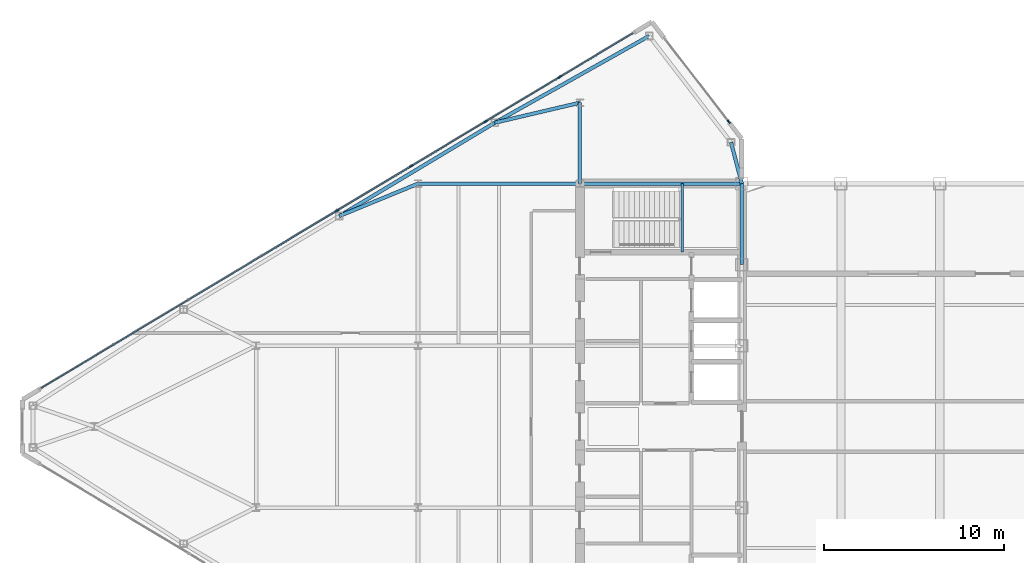
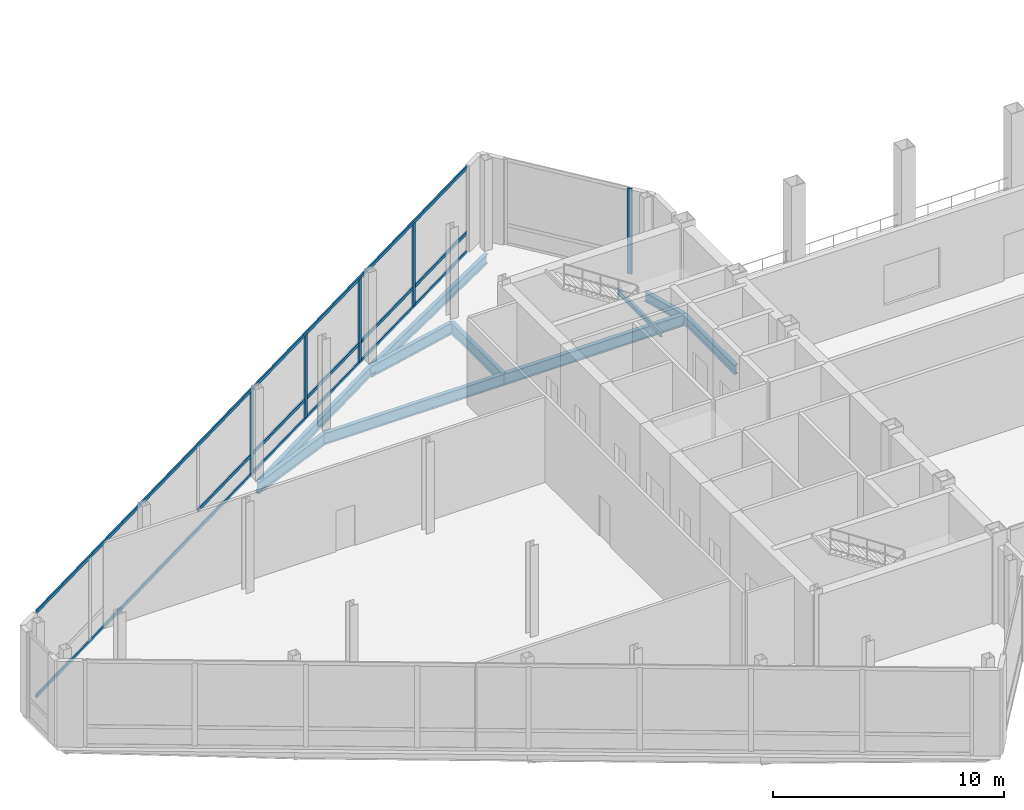
# One storey, part 11 of 28: 12 members, 10 beams, 2 elements without a shape of their own.
"""IFC4 building model written with IfcOpenShell, lengths in metres."""

from ifc_helpers import new_model, si_unit, direction, frame, origin, origin_2d, place, context, subcontext, project, spatial, rectangle, i_section, extrude, source, transform, mapped, material, layer, layer_set, material_profile, profile_set, type_object, type_shapes, element, aggregate, save


model = new_model("IFC4")

# Units and contexts
model_context = context("Model", 3, precision=1e-05, world=origin(), true_north=direction((0.0, 1.0)))
body_context = subcontext(model_context, "Body", "Model", "MODEL_VIEW")
ifc_project = project(units=[si_unit("LENGTHUNIT", "METRE"), si_unit("AREAUNIT", "SQUARE_METRE"), si_unit("VOLUMEUNIT", "CUBIC_METRE"), si_unit("PLANEANGLEUNIT", "RADIAN"), si_unit("MASSUNIT", "GRAM", prefix="KILO")], contexts=[model_context])

# Site, building, storey
site_placement = place(None, origin())
site = spatial("IfcSite", under=ifc_project, at=site_placement, CompositionType="ELEMENT")
building_placement = place(site_placement, origin())
building = spatial("IfcBuilding", under=site, at=building_placement, Name="Seokmaru Belvedere", CompositionType="ELEMENT")
storey_placement = place(building_placement, frame((0.0, 0.0, 274.199951171875)))
storey = spatial("IfcBuildingStorey", under=building, at=storey_placement, Name="L72", CompositionType="ELEMENT", Elevation=274.199951171875)

# Beams
ifc_material_1 = material(Name="Steel SM355 (355 MPa)", Category="steel")
ifc_material_profile_1 = material_profile(ifc_material_1, i_section(OverallWidth=0.199951171875, OverallDepth=0.5, WebThickness=0.010009765625, FlangeThickness=0.01611328125, at=origin_2d()), Name="H-500x200x10x16")
ifc_profile_set_1 = profile_set([ifc_material_profile_1], Name="Steel SM355 (355 MPa)")
beam_type_1 = type_object("IfcBeamType", Name="Perimeter Spandrel Beam H-500", PredefinedType="SPANDREL", material=ifc_profile_set_1)
shared_shape_1 = source(origin(), body_context, "Body", "SweptSolid", [
    extrude(i_section(OverallWidth=0.199951171875, OverallDepth=0.5, WebThickness=0.010009765625, FlangeThickness=0.01611328125, at=origin_2d()), origin(), (0.0, 0.0, 1.0), 4.5),
])
beam_1_placement = place(storey_placement, frame((-27.5, 9.0, -0.510009765625), z_axis=(0.0, 1.0, 0.0), x_axis=(-1.0, 0.0, 0.0)))
element("IfcBeam", 1, at=beam_1_placement, inside=storey, type_object=beam_type_1, Name="L72 W Portal Spine Spandrel 5", PredefinedType="SPANDREL", context=body_context, shape_type="MappedRepresentation", body=[
    mapped(shared_shape_1, transform((0.0, 0.0, 0.0), scale=1.0)),
])
ifc_material_profile_2 = material_profile(ifc_material_1, i_section(OverallWidth=0.199951171875, OverallDepth=0.60009765625, WebThickness=0.010986328125, FlangeThickness=0.01708984375, at=origin_2d()), Name="H-600x200x11x17")
ifc_profile_set_2 = profile_set([ifc_material_profile_2], Name="Steel SM355 (355 MPa)")
beam_type_2 = type_object("IfcBeamType", Name="Primary Floor Girder H-600", PredefinedType="BEAM", material=ifc_profile_set_2)
shared_shape_2 = source(origin(), body_context, "Body", "SweptSolid", [
    extrude(i_section(OverallWidth=0.199951171875, OverallDepth=0.60009765625, WebThickness=0.010986328125, FlangeThickness=0.01708984375, at=origin_2d()), origin(), (0.0, 0.0, 1.0), 9.0),
])
for number, where, z_axis, x_axis, name in (
    (2, (-36.5, 13.5, -0.56005859375), (1.0, 0.0, 0.0), (0.0, 1.0, 0.0), "L72 W Core Tie Girder 4"),
    (3, (-45.5, 13.5, -0.56005859375), (1.0, 0.0, 0.0), (0.0, 1.0, 0.0), "L72 W Wing Primary Girder 4"),
):
    element("IfcBeam", number, at=place(storey_placement, frame(where, z_axis=z_axis, x_axis=x_axis)), inside=storey, type_object=beam_type_2, Name=name, PredefinedType="BEAM", context=body_context, shape_type="MappedRepresentation", body=[
        mapped(shared_shape_2, transform((0.0, 0.0, 0.0), scale=1.0)),
    ])
shared_shape_3 = source(origin(), body_context, "Body", "SweptSolid", [
    extrude(i_section(OverallWidth=0.199951171875, OverallDepth=0.60009765625, WebThickness=0.010986328125, FlangeThickness=0.01708984375, at=origin_2d()), origin(), (0.0, 0.0, 1.0), 4.5),
])
beam_2_placement = place(storey_placement, frame((-36.5, 13.5, -0.56005859375), z_axis=(0.0, 1.0, 0.0), x_axis=(-1.0, 0.0, 0.0)))
element("IfcBeam", 4, at=beam_2_placement, inside=storey, type_object=beam_type_2, Name="L72 W Core Shoulder Girder N", PredefinedType="BEAM", context=body_context, shape_type="MappedRepresentation", body=[
    mapped(shared_shape_3, transform((0.0, 0.0, 0.0), scale=1.0)),
])
shared_shape_4 = source(origin(), body_context, "Body", "SweptSolid", [
    extrude(i_section(OverallWidth=0.199951171875, OverallDepth=0.5, WebThickness=0.010009765625, FlangeThickness=0.01611328125, at=origin_2d()), origin(), (0.0, 0.0, 1.0), 9.842041015625),
])
beam_3_placement = place(storey_placement, frame((-32.649658203125, 21.71044921875, -0.510009765625), z_axis=(-0.871782151818, -0.489893743349, 0.0), x_axis=(0.489893743349, -0.871782151818, 0.0)))
element("IfcBeam", 5, at=beam_3_placement, inside=storey, type_object=beam_type_1, Name="L72 W Faceted Flank Spandrel N-1", PredefinedType="SPANDREL", context=body_context, shape_type="MappedRepresentation", body=[
    mapped(shared_shape_4, transform((0.0, 0.0, 0.0), scale=1.0)),
])
shared_shape_5 = source(origin(), body_context, "Body", "SweptSolid", [
    extrude(i_section(OverallWidth=0.199951171875, OverallDepth=0.5, WebThickness=0.010009765625, FlangeThickness=0.01611328125, at=origin_2d()), origin(), (0.0, 0.0, 1.0), 10.087646484375),
])
beam_4_placement = place(storey_placement, frame((-41.229736328125, 16.888916015625, -0.510009765625), z_axis=(-0.857499332045, -0.514485078056, 0.0), x_axis=(0.514485078056, -0.857499332045, 0.0)))
element("IfcBeam", 6, at=beam_4_placement, inside=storey, type_object=beam_type_1, Name="L72 W Faceted Flank Spandrel N-2", PredefinedType="SPANDREL", context=body_context, shape_type="MappedRepresentation", body=[
    mapped(shared_shape_5, transform((0.0, 0.0, 0.0), scale=1.0)),
])
shared_shape_6 = source(origin(), body_context, "Body", "SweptSolid", [
    extrude(i_section(OverallWidth=0.199951171875, OverallDepth=0.5, WebThickness=0.010009765625, FlangeThickness=0.01611328125, at=origin_2d()), origin(), (0.0, 0.0, 1.0), 2.373046875),
])
type_shapes(beam_type_1, [shared_shape_1, shared_shape_4, shared_shape_5, shared_shape_6])
beam_5_placement = place(storey_placement, frame((-28.10009765625, 15.7958984375, -0.510009765625), z_axis=(0.252882558842, -0.967496982648, 0.0), x_axis=(0.967496982648, 0.252882558842, 0.0)))
element("IfcBeam", 7, at=beam_5_placement, inside=storey, type_object=beam_type_1, Name="L72 W Shoulder Spine Spandrel N", PredefinedType="SPANDREL", context=body_context, shape_type="MappedRepresentation", body=[
    mapped(shared_shape_6, transform((0.0, 0.0, 0.0), scale=1.0)),
])
shared_shape_7 = source(origin(), body_context, "Body", "SweptSolid", [
    extrude(i_section(OverallWidth=0.199951171875, OverallDepth=0.60009765625, WebThickness=0.010986328125, FlangeThickness=0.01708984375, at=origin_2d()), origin(), (0.0, 0.0, 1.0), 4.8583984375),
])
beam_6_placement = place(storey_placement, frame((-41.229736328125, 16.888916015625, -0.56005859375), z_axis=(0.97349948295, 0.228689214211, 0.0), x_axis=(-0.228689214211, 0.97349948295, 0.0)))
element("IfcBeam", 8, at=beam_6_placement, inside=storey, type_object=beam_type_2, Name="L72 W Flank Radial Floor Girder N-1", PredefinedType="BEAM", context=body_context, shape_type="MappedRepresentation", body=[
    mapped(shared_shape_7, transform((0.0, 0.0, 0.0), scale=1.0)),
])
shared_shape_8 = source(origin(), body_context, "Body", "SweptSolid", [
    extrude(i_section(OverallWidth=0.199951171875, OverallDepth=0.60009765625, WebThickness=0.010986328125, FlangeThickness=0.01708984375, at=origin_2d()), origin(), (0.0, 0.0, 1.0), 4.73583984375),
])
type_shapes(beam_type_2, [shared_shape_2, shared_shape_3, shared_shape_7, shared_shape_8])
beam_7_placement = place(storey_placement, frame((-49.8798828125, 11.698974609375, -0.56005859375), z_axis=(0.924860562953, 0.380306375301, 0.0), x_axis=(-0.380306375301, 0.924860562953, 0.0)))
element("IfcBeam", 9, at=beam_7_placement, inside=storey, type_object=beam_type_2, Name="L72 W Flank Radial Floor Girder N-2", PredefinedType="BEAM", context=body_context, shape_type="MappedRepresentation", body=[
    mapped(shared_shape_8, transform((0.0, 0.0, 0.0), scale=1.0)),
])

# Curtain wall, members
ifc_material_2 = material(Name="Bronze Triple Insulating Glass", Category="glass")
ifc_layer = layer(ifc_material_2, 0.219970703125)
ifc_layer_set = layer_set([ifc_layer], Name="Bronze Triple Insulating Glass")
curtain_wall_type = type_object("IfcCurtainWallType", Name="Sky-Gate Bridge Panorama Curtain Wall System CW-6", PredefinedType="NOTDEFINED", material=ifc_layer_set)
curtain_wall_1_placement = place(storey_placement, origin())
curtain_wall_1 = element("IfcCurtainWall", 10, at=curtain_wall_1_placement, inside=storey, type_object=curtain_wall_type, Name="L72 Curtain Wall WF3", PredefinedType="NOTDEFINED")
ifc_material_3 = material(Name="Anodised Bronze Aluminium", Category="aluminium")
ifc_material_profile_3 = material_profile(ifc_material_3, rectangle(XDim=0.074951171875, YDim=0.179931640625, at=origin_2d()), Name="CW-T-75x180")
ifc_profile_set_3 = profile_set([ifc_material_profile_3], Name="Anodised Bronze Aluminium")
member_type_1 = type_object("IfcMemberType", Name="Bronze Unitised Transom 75x180", PredefinedType="USERDEFINED", material=ifc_profile_set_3)
shared_shape_9 = source(origin(), body_context, "Body", "SweptSolid", [
    extrude(rectangle(XDim=0.074951171875, YDim=0.179931640625, at=origin_2d()), origin(), (0.0, 0.0, 1.0), 38.356689453125),
])
member_1_placement = place(storey_placement, frame((-33.5546875, 21.8671875, 0.03759765625), z_axis=(-0.857492925713, -0.514495755428, 0.0), x_axis=(0.514495755428, -0.857492925713, 0.0)))
member_1 = element("IfcMember", 11, at=member_1_placement, type_object=member_type_1, Name="CW:L72:WF3 Continuous Transom 1", ObjectType="TRANSOM", PredefinedType="USERDEFINED", context=body_context, shape_type="MappedRepresentation", body=[
    mapped(shared_shape_9, transform((0.0, 0.0, 0.0), scale=1.0)),
])
member_2_placement = place(storey_placement, frame((-33.5546875, 21.8671875, 4.482666015625), z_axis=(-0.857492925713, -0.514495755428, 0.0), x_axis=(0.514495755428, -0.857492925713, 0.0)))
member_2 = element("IfcMember", 12, at=member_2_placement, type_object=member_type_1, Name="CW:L72:WF3 Continuous Transom 2", ObjectType="TRANSOM", PredefinedType="USERDEFINED", context=body_context, shape_type="MappedRepresentation", body=[
    mapped(shared_shape_9, transform((0.0, 0.0, 0.0), scale=1.0)),
])
shared_shape_10 = source(origin(), body_context, "Body", "SweptSolid", [
    extrude(rectangle(XDim=0.074951171875, YDim=0.179931640625, at=origin_2d()), origin(), (0.0, 0.0, 1.0), 4.694580078125),
])
member_3_placement = place(storey_placement, frame((-33.5546875, 21.8671875, 1.050048828125), z_axis=(-0.85750210284, -0.514480459906, 0.0), x_axis=(0.514480459906, -0.85750210284, 0.0)))
member_3 = element("IfcMember", 13, at=member_3_placement, type_object=member_type_1, Name="CW:L72:WF3 Spandrel Transom 1", ObjectType="TRANSOM", PredefinedType="USERDEFINED", context=body_context, shape_type="MappedRepresentation", body=[
    mapped(shared_shape_10, transform((0.0, 0.0, 0.0), scale=1.0)),
])
shared_shape_11 = source(origin(), body_context, "Body", "SweptSolid", [
    extrude(rectangle(XDim=0.074951171875, YDim=0.179931640625, at=origin_2d()), origin(), (0.0, 0.0, 1.0), 4.734619140625),
])
member_4_placement = place(storey_placement, frame((-37.64892578125, 19.41064453125, 1.050048828125), z_axis=(-0.857479275774, -0.514518504641, 0.0), x_axis=(0.514518504641, -0.857479275774, 0.0)))
member_4 = element("IfcMember", 14, at=member_4_placement, type_object=member_type_1, Name="CW:L72:WF3 Spandrel Transom 2", ObjectType="TRANSOM", PredefinedType="USERDEFINED", context=body_context, shape_type="MappedRepresentation", body=[
    mapped(shared_shape_11, transform((0.0, 0.0, 0.0), scale=1.0)),
])
shared_shape_12 = source(origin(), body_context, "Body", "SweptSolid", [
    extrude(rectangle(XDim=0.074951171875, YDim=0.179931640625, at=origin_2d()), origin(), (0.0, 0.0, 1.0), 4.734375),
])
member_5_placement = place(storey_placement, frame((-41.77734375, 16.93359375, 1.050048828125), z_axis=(-0.857502025578, -0.514480588682, 0.0), x_axis=(0.514480588682, -0.857502025578, 0.0)))
member_5 = element("IfcMember", 15, at=member_5_placement, type_object=member_type_1, Name="CW:L72:WF3 Spandrel Transom 3", ObjectType="TRANSOM", PredefinedType="USERDEFINED", context=body_context, shape_type="MappedRepresentation", body=[
    mapped(shared_shape_12, transform((0.0, 0.0, 0.0), scale=1.0)),
])
shared_shape_13 = source(origin(), body_context, "Body", "SweptSolid", [
    extrude(rectangle(XDim=0.074951171875, YDim=0.179931640625, at=origin_2d()), origin(), (0.0, 0.0, 1.0), 4.73486328125),
])
type_shapes(member_type_1, [shared_shape_9, shared_shape_10, shared_shape_11, shared_shape_12, shared_shape_13])
member_6_placement = place(storey_placement, frame((-45.90576171875, 14.45654296875, 1.050048828125), z_axis=(-0.857492925713, -0.514495755428, 0.0), x_axis=(0.514495755428, -0.857492925713, 0.0)))
member_6 = element("IfcMember", 16, at=member_6_placement, type_object=member_type_1, Name="CW:L72:WF3 Spandrel Transom 4", ObjectType="TRANSOM", PredefinedType="USERDEFINED", context=body_context, shape_type="MappedRepresentation", body=[
    mapped(shared_shape_13, transform((0.0, 0.0, 0.0), scale=1.0)),
])
member_7_placement = place(storey_placement, frame((-50.0341796875, 11.9794921875, 1.050048828125), z_axis=(-0.857492925713, -0.514495755428, 0.0), x_axis=(0.514495755428, -0.857492925713, 0.0)))
member_7 = element("IfcMember", 17, at=member_7_placement, type_object=member_type_1, Name="CW:L72:WF3 Spandrel Transom 5", ObjectType="TRANSOM", PredefinedType="USERDEFINED", context=body_context, shape_type="MappedRepresentation", body=[
    mapped(shared_shape_13, transform((0.0, 0.0, 0.0), scale=1.0)),
])

# Curtain wall, member
curtain_wall_2_placement = place(storey_placement, origin())
curtain_wall_2 = element("IfcCurtainWall", 18, at=curtain_wall_2_placement, inside=storey, type_object=curtain_wall_type, Name="L72 Curtain Wall WF2", PredefinedType="NOTDEFINED")
ifc_material_profile_4 = material_profile(ifc_material_3, rectangle(XDim=0.080078125, YDim=0.219970703125, at=origin_2d()), Name="CW-M-80x220")
ifc_profile_set_4 = profile_set([ifc_material_profile_4], Name="Anodised Bronze Aluminium")
member_type_2 = type_object("IfcMemberType", Name="Bronze Unitised Mullion 80x220", PredefinedType="MULLION", material=ifc_profile_set_4)
shared_shape_14 = source(origin(), body_context, "Body", "SweptSolid", [
    extrude(rectangle(XDim=0.080078125, YDim=0.219970703125, at=origin_2d()), origin(), (0.0, 0.0, 1.0), 4.52001953125),
])
member_8_placement = place(storey_placement, frame((-28.2255859375, 16.943115234375, 0.0), z_axis=(0.0, 0.0, 1.0), x_axis=(-0.792631353244, -0.609701187349, 0.0)))
member_8 = element("IfcMember", 19, at=member_8_placement, type_object=member_type_2, Name="CW:L72:WF2 Mullion 1", PredefinedType="MULLION", context=body_context, shape_type="MappedRepresentation", body=[
    mapped(shared_shape_14, transform((0.0, 0.0, 0.0), scale=1.0)),
])
aggregate(curtain_wall_2, [member_8])

# Member
shared_shape_15 = source(origin(), body_context, "Body", "SweptSolid", [
    extrude(rectangle(XDim=0.080078125, YDim=0.219970703125, at=origin_2d()), origin(), (0.0, 0.0, 1.0), 4.3701171875),
])
type_shapes(member_type_2, [shared_shape_14, shared_shape_15])
member_9_placement = place(storey_placement, frame((-37.614501953125, 19.43115234375, 0.074951171875), z_axis=(0.0, 0.0, 1.0), x_axis=(0.514494909364, -0.85749343335, 0.0)))
member_9 = element("IfcMember", 20, at=member_9_placement, type_object=member_type_2, Name="CW:L72:WF3 Mullion 2", PredefinedType="MULLION", context=body_context, shape_type="MappedRepresentation", body=[
    mapped(shared_shape_15, transform((0.0, 0.0, 0.0), scale=1.0)),
])

member_10_placement = place(storey_placement, frame((-41.7431640625, 16.9541015625, 0.074951171875), z_axis=(0.0, 0.0, 1.0), x_axis=(0.514494909364, -0.85749343335, 0.0)))
member_10 = element("IfcMember", 21, at=member_10_placement, type_object=member_type_2, Name="CW:L72:WF3 Mullion 3", PredefinedType="MULLION", context=body_context, shape_type="MappedRepresentation", body=[
    mapped(shared_shape_15, transform((0.0, 0.0, 0.0), scale=1.0)),
])

member_11_placement = place(storey_placement, frame((-45.87158203125, 14.47705078125, 0.074951171875), z_axis=(0.0, 0.0, 1.0), x_axis=(0.514494909364, -0.85749343335, 0.0)))
member_11 = element("IfcMember", 22, at=member_11_placement, type_object=member_type_2, Name="CW:L72:WF3 Mullion 4", PredefinedType="MULLION", context=body_context, shape_type="MappedRepresentation", body=[
    mapped(shared_shape_15, transform((0.0, 0.0, 0.0), scale=1.0)),
])

member_12_placement = place(storey_placement, frame((-50.0, 12.0, 0.074951171875), z_axis=(0.0, 0.0, 1.0), x_axis=(0.514494909364, -0.85749343335, 0.0)))
member_12 = element("IfcMember", 23, at=member_12_placement, type_object=member_type_2, Name="CW:L72:WF3 Mullion 5", PredefinedType="MULLION", context=body_context, shape_type="MappedRepresentation", body=[
    mapped(shared_shape_15, transform((0.0, 0.0, 0.0), scale=1.0)),
])

aggregate(curtain_wall_1, [member_9, member_10, member_11, member_12, member_1, member_2, member_3, member_4, member_5, member_6, member_7])

# Beam
ifc_material_profile_5 = material_profile(ifc_material_1, i_section(OverallWidth=0.125, OverallDepth=0.25, WebThickness=0.006103515625, FlangeThickness=0.009033203125, at=origin_2d()), Name="H-250x125x6x9")
ifc_profile_set_5 = profile_set([ifc_material_profile_5], Name="Steel SM355 (355 MPa)")
beam_type_3 = type_object("IfcBeamType", Name="Stair Mid-Landing Support Beam H-250", PredefinedType="JOIST", material=ifc_profile_set_5)
shared_shape_16 = source(origin(), body_context, "Body", "SweptSolid", [
    extrude(i_section(OverallWidth=0.125, OverallDepth=0.25, WebThickness=0.006103515625, FlangeThickness=0.009033203125, at=origin_2d()), origin(), (0.0, 0.0, 1.0), 3.800048828125),
])
type_shapes(beam_type_3, [shared_shape_16])
beam_8_placement = place(storey_placement, frame((-30.81005859375, 9.699951171875, 2.074951171875), z_axis=(0.0, 1.0, 0.0), x_axis=(-1.0, 0.0, 0.0)))
element("IfcBeam", 24, at=beam_8_placement, inside=storey, type_object=beam_type_3, Name="L72 Stair ST-W2 Mid-Landing Support Beam 1", PredefinedType="JOIST", context=body_context, shape_type="MappedRepresentation", body=[
    mapped(shared_shape_16, transform((0.0, 0.0, 0.0), scale=1.0)),
])

save(model, "model.ifc")
